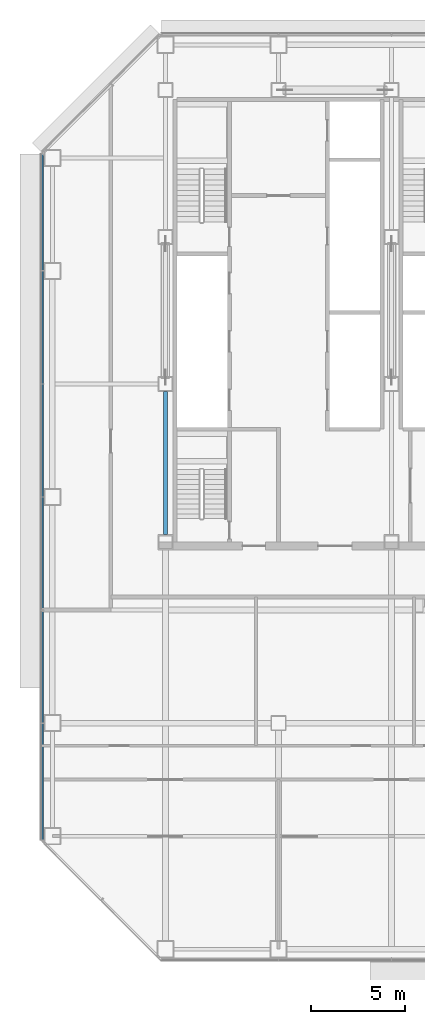
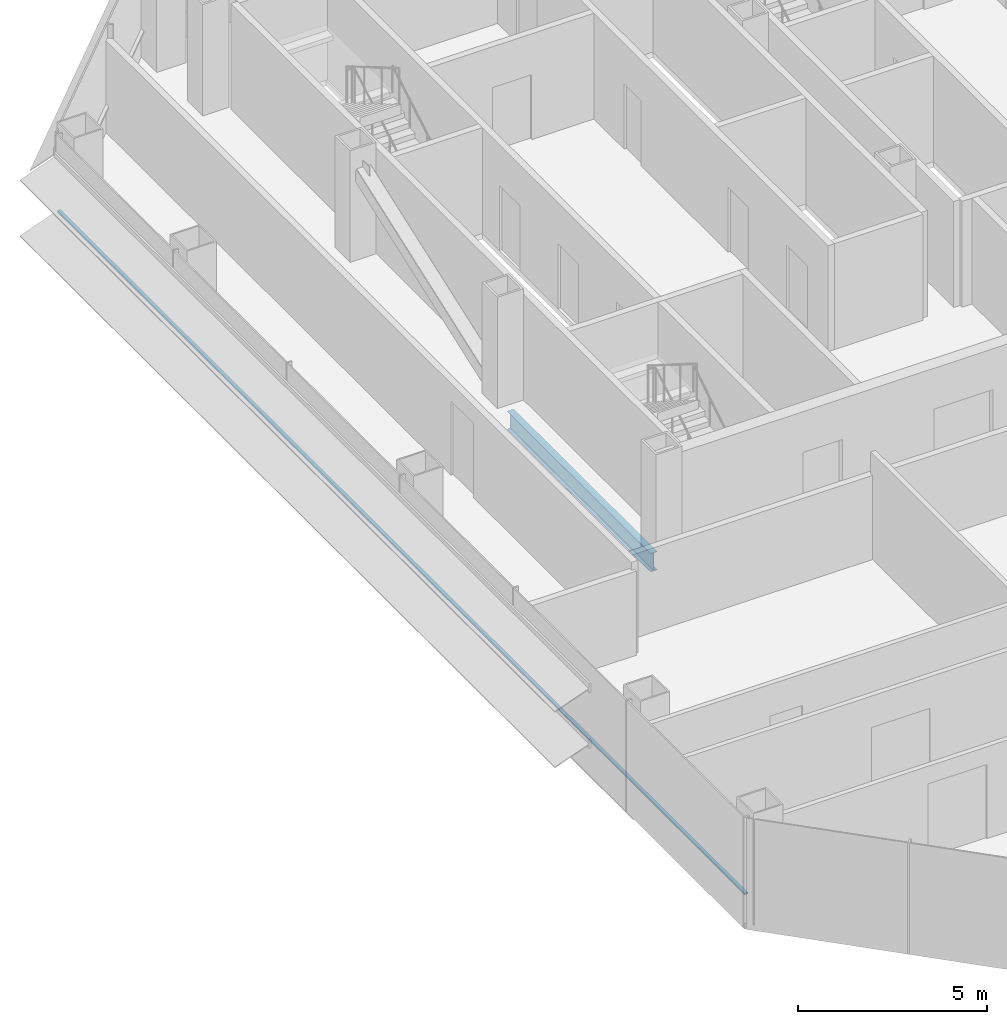
# One storey, part 5 of 26: 1 beam, 1 member, 1 element without a shape of its own.
"""IFC4 building model written with IfcOpenShell, lengths in metres."""

from ifc_helpers import new_model, si_unit, direction, frame, origin, origin_2d, place, context, subcontext, project, spatial, rectangle, i_section, extrude, material, material_profile, profile_set, type_object, element, aggregate, save


model = new_model("IFC4")

# Units and contexts
model_context = context("Model", 3, precision=1e-05, world=origin(), true_north=direction((0.0, 1.0)))
body_context = subcontext(model_context, "Body", "Model", "MODEL_VIEW")
ifc_project = project(units=[si_unit("LENGTHUNIT", "METRE"), si_unit("AREAUNIT", "SQUARE_METRE"), si_unit("VOLUMEUNIT", "CUBIC_METRE"), si_unit("PLANEANGLEUNIT", "RADIAN"), si_unit("MASSUNIT", "GRAM", prefix="KILO")], contexts=[model_context])

# Site, building, storey
site_placement = place(None, origin())
site = spatial("IfcSite", under=ifc_project, at=site_placement, CompositionType="ELEMENT")
building_placement = place(site_placement, origin())
building = spatial("IfcBuilding", under=site, at=building_placement, Name="Sorahane Residences", CompositionType="ELEMENT")
storey_placement = place(building_placement, frame((0.0, 0.0, 64.199951171875)))
storey = spatial("IfcBuildingStorey", under=building, at=storey_placement, Name="L12", CompositionType="ELEMENT", Elevation=64.199951171875)

# Curtain wall, member
ifc_material_1 = material(Name="Dark low-e glass and black anodised aluminium", Category="aluminium")
curtain_wall_type = type_object("IfcCurtainWallType", Name="Curtain wall CW-1 Typical unitised wall", PredefinedType="NOTDEFINED", material=ifc_material_1)
curtain_wall_placement = place(storey_placement, origin())
curtain_wall = element("IfcCurtainWall", 1, at=curtain_wall_placement, inside=storey, type_object=curtain_wall_type, Name="CW-1 curtain wall L12 W1", PredefinedType="NOTDEFINED")
ifc_material_2 = material(Name="Black anodised aluminium", Category="aluminium")
ifc_material_profile_1 = material_profile(ifc_material_2, rectangle(XDim=0.10009765625, YDim=0.06005859375, at=origin_2d()), Name="Curtain wall transom CW-1 black anodised aluminium 60x100")
ifc_profile_set_1 = profile_set([ifc_material_profile_1], Name="Black anodised aluminium")
member_type = type_object("IfcMemberType", Name="Curtain wall transom CW-1 black anodised aluminium 60x100", PredefinedType="USERDEFINED", material=ifc_profile_set_1)
member_placement = place(storey_placement, frame((-0.530029296875, 42.198486328125, 0.900146484375), z_axis=(0.0, -1.0, 0.0), x_axis=(1.0, 0.0, 0.0)))
member = element("IfcMember", 2, at=member_placement, type_object=member_type, Name="CW-1 transom L12 W1", ObjectType="TRANSOM", PredefinedType="USERDEFINED", context=body_context, shape_type="SweptSolid", body=[
    extrude(rectangle(XDim=0.10009765625, YDim=0.06005859375, at=origin_2d()), origin(), (0.0, 0.0, 1.0), 36.39697265625),
])
aggregate(curtain_wall, [member])

# Beam
ifc_material_3 = material(Name="Steel Q355B", Category="steel")
ifc_material_profile_2 = material_profile(ifc_material_3, i_section(OverallWidth=0.199951171875, OverallDepth=0.60009765625, WebThickness=0.010986328125, FlangeThickness=0.01708984375, FilletRadius=0.02392578125, at=origin_2d()), Name="HN 600x200x11x17")
ifc_profile_set_2 = profile_set([ifc_material_profile_2], Name="Steel Q355B")
beam_type = type_object("IfcBeamType", Name="Steel floor beam HN 600x200x11x17 Q355B", PredefinedType="BEAM", material=ifc_profile_set_2)
beam_placement = place(storey_placement, frame((6.0, 22.0, -0.47998046875), z_axis=(0.0, 1.0, 0.0), x_axis=(-1.0, 0.0, 0.0)))
element("IfcBeam", 3, at=beam_placement, inside=storey, type_object=beam_type, Name="Beam L12 023", PredefinedType="BEAM", context=body_context, shape_type="SweptSolid", body=[
    extrude(i_section(OverallWidth=0.199951171875, OverallDepth=0.60009765625, WebThickness=0.010986328125, FlangeThickness=0.01708984375, FilletRadius=0.02392578125, at=origin_2d()), origin(), (0.0, 0.0, 1.0), 7.60009765625),
])

save(model, "model.ifc")
